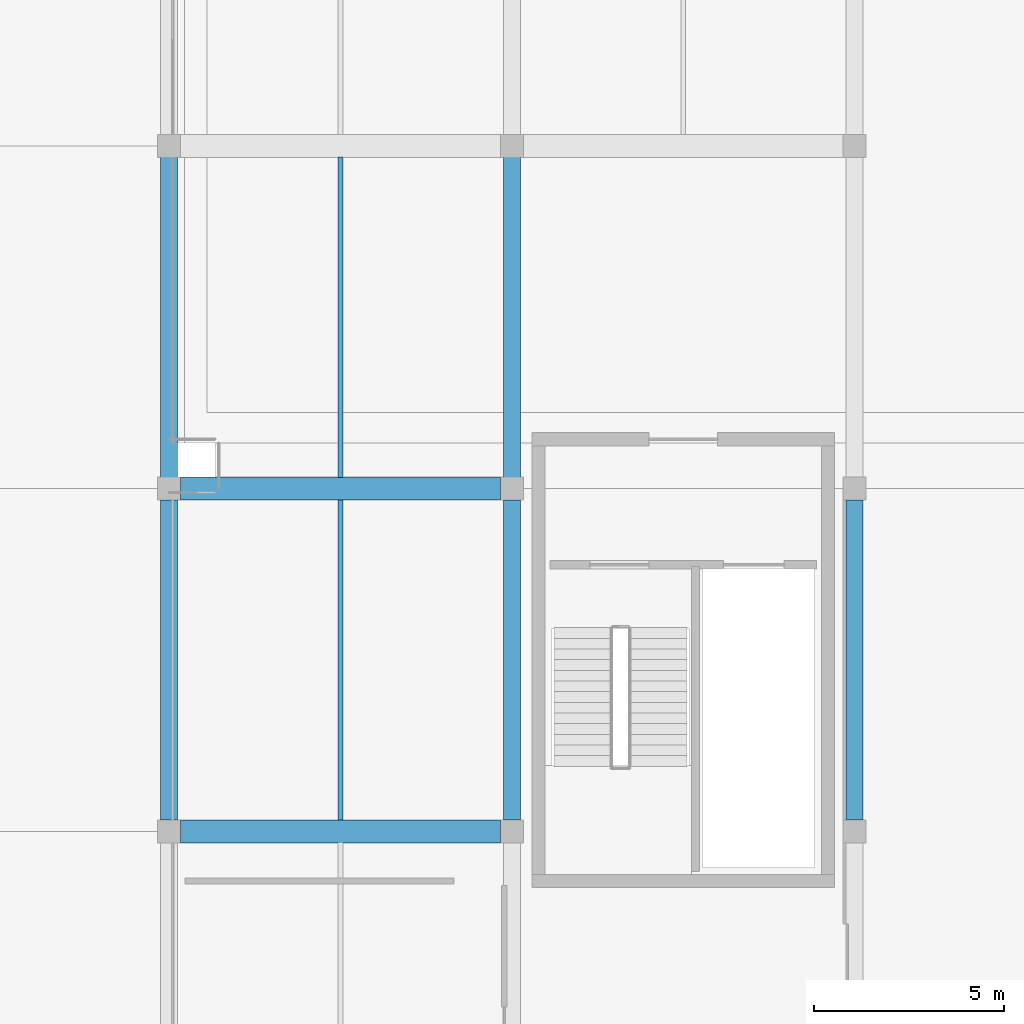
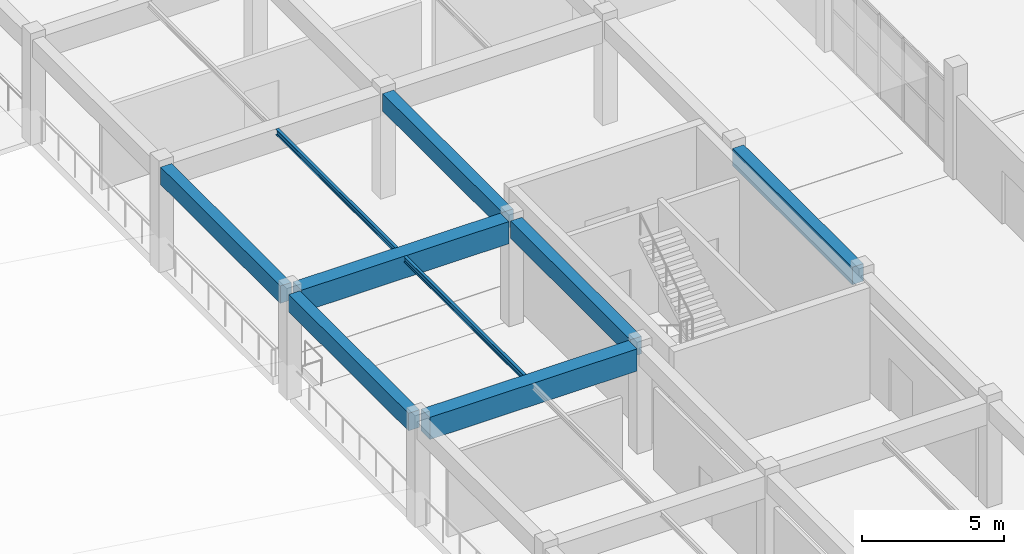
# One storey, part 25 of 89: 9 beams.
"""IFC4 building model written with IfcOpenShell, lengths in metres."""

from ifc_helpers import new_model, si_unit, direction, frame, origin, origin_2d, place, context, subcontext, project, spatial, rectangle, i_section, extrude, material, material_profile, profile_set, type_object, element, save


model = new_model("IFC4")

# Units and contexts
model_context = context("Model", 3, precision=1e-05, world=origin(), true_north=direction((0.0, 1.0)))
body_context = subcontext(model_context, "Body", "Model", "MODEL_VIEW")
ifc_project = project(units=[si_unit("LENGTHUNIT", "METRE"), si_unit("AREAUNIT", "SQUARE_METRE"), si_unit("VOLUMEUNIT", "CUBIC_METRE"), si_unit("PLANEANGLEUNIT", "RADIAN"), si_unit("MASSUNIT", "GRAM", prefix="KILO")], contexts=[model_context])

# Site, building, storey
site_placement = place(None, origin())
site = spatial("IfcSite", under=ifc_project, at=site_placement, CompositionType="ELEMENT")
building_placement = place(site_placement, origin())
building = spatial("IfcBuilding", under=site, at=building_placement, Name="Dornveld Trade and Exhibition Forum", CompositionType="ELEMENT")
storey_placement = place(building_placement, frame((0.0, 0.0, 12.0)))
storey = spatial("IfcBuildingStorey", under=building, at=storey_placement, Name="L02", CompositionType="ELEMENT", Elevation=12.0)

# Beams
ifc_material_1 = material(Name="Steel S355J2", Category="steel")
ifc_material_profile_1 = material_profile(ifc_material_1, i_section(OverallWidth=0.1201171875, OverallDepth=0.239990234375, WebThickness=0.006103515625, FlangeThickness=0.009765625, FilletRadius=0.014892578125, at=origin_2d()), Name="IPE 240")
ifc_profile_set_1 = profile_set([ifc_material_profile_1], Name="Steel S355J2")
beam_type_1 = type_object("IfcBeamType", Name="BM-JOIST-240", PredefinedType="JOIST", material=ifc_profile_set_1)
for number, where, z_axis, x_axis, name in (
    (1, (202.5, 18.297119140625, 4.39990234375), (0.0, 1.0, 0.0), (-1.0, 0.0, 0.0), "L02 secondary joist 1578"),
    (2, (202.5, 27.297119140625, 4.39990234375), (0.0, 1.0, 0.0), (-1.0, 0.0, 0.0), "L02 secondary joist 1579"),
):
    element("IfcBeam", number, at=place(storey_placement, frame(where, z_axis=z_axis, x_axis=x_axis)), inside=storey, type_object=beam_type_1, Name=name, PredefinedType="JOIST", context=body_context, shape_type="SweptSolid", body=[
        extrude(i_section(OverallWidth=0.1201171875, OverallDepth=0.239990234375, WebThickness=0.006103515625, FlangeThickness=0.009765625, FilletRadius=0.014892578125, at=origin_2d()), origin(), (0.0, 0.0, 1.0), 8.40576171875),
    ])
ifc_material_2 = material(Name="Precast concrete C50/60", Category="concrete")
ifc_material_profile_2 = material_profile(ifc_material_2, rectangle(XDim=0.449951171875, YDim=0.75, at=origin_2d()), Name="PC-BM 450x750")
ifc_profile_set_2 = profile_set([ifc_material_profile_2], Name="Precast concrete C50/60")
beam_type_2 = type_object("IfcBeamType", Name="BM-PC-450x750", PredefinedType="BEAM", material=ifc_profile_set_2)
for number, where, z_axis, x_axis, name in (
    (3, (198.0, 18.2958984375, 4.14501953125), (0.0, 1.0, 0.0), (-1.0, 0.0, 0.0), "L02 Y-girder 1560"),
    (4, (198.0, 27.2958984375, 4.14501953125), (0.0, 1.0, 0.0), (-1.0, 0.0, 0.0), "L02 Y-girder 1561"),
    (5, (207.0, 18.2958984375, 4.14501953125), (0.0, 1.0, 0.0), (-1.0, 0.0, 0.0), "L02 Y-girder 1566"),
    (6, (207.0, 27.2958984375, 4.14501953125), (0.0, 1.0, 0.0), (-1.0, 0.0, 0.0), "L02 Y-girder 1567"),
    (7, (216.0, 18.2958984375, 4.10302734375), (0.0, 1.0, 0.0), (-1.0, 0.0, 0.0), "L02 Y-girder 1572"),
):
    element("IfcBeam", number, at=place(storey_placement, frame(where, z_axis=z_axis, x_axis=x_axis)), inside=storey, type_object=beam_type_2, Name=name, PredefinedType="BEAM", context=body_context, shape_type="SweptSolid", body=[
        extrude(rectangle(XDim=0.449951171875, YDim=0.75, at=origin_2d()), origin(), (0.0, 0.0, 1.0), 8.408203125),
    ])
ifc_material_3 = material(Name="Precast concrete C50/60", Category="concrete")
ifc_material_profile_3 = material_profile(ifc_material_3, rectangle(XDim=0.60009765625, YDim=0.949951171875, at=origin_2d()), Name="PC-GIR 600x950")
ifc_profile_set_3 = profile_set([ifc_material_profile_3], Name="Precast concrete C50/60")
beam_type_3 = type_object("IfcBeamType", Name="BM-PC-600x950", PredefinedType="T_BEAM", material=ifc_profile_set_3)
for number, where, z_axis, x_axis, name in (
    (8, (198.2958984375, 18.0, 4.044921875), (1.0, 0.0, 0.0), (0.0, 1.0, 0.0), "L02 X-girder 1550"),
    (9, (198.2958984375, 27.0, 4.044921875), (1.0, 0.0, 0.0), (0.0, 1.0, 0.0), "L02 X-girder 1551"),
):
    element("IfcBeam", number, at=place(storey_placement, frame(where, z_axis=z_axis, x_axis=x_axis)), inside=storey, type_object=beam_type_3, Name=name, PredefinedType="T_BEAM", context=body_context, shape_type="SweptSolid", body=[
        extrude(rectangle(XDim=0.60009765625, YDim=0.949951171875, at=origin_2d()), origin(), (0.0, 0.0, 1.0), 8.408203125),
    ])

save(model, "model.ifc")
